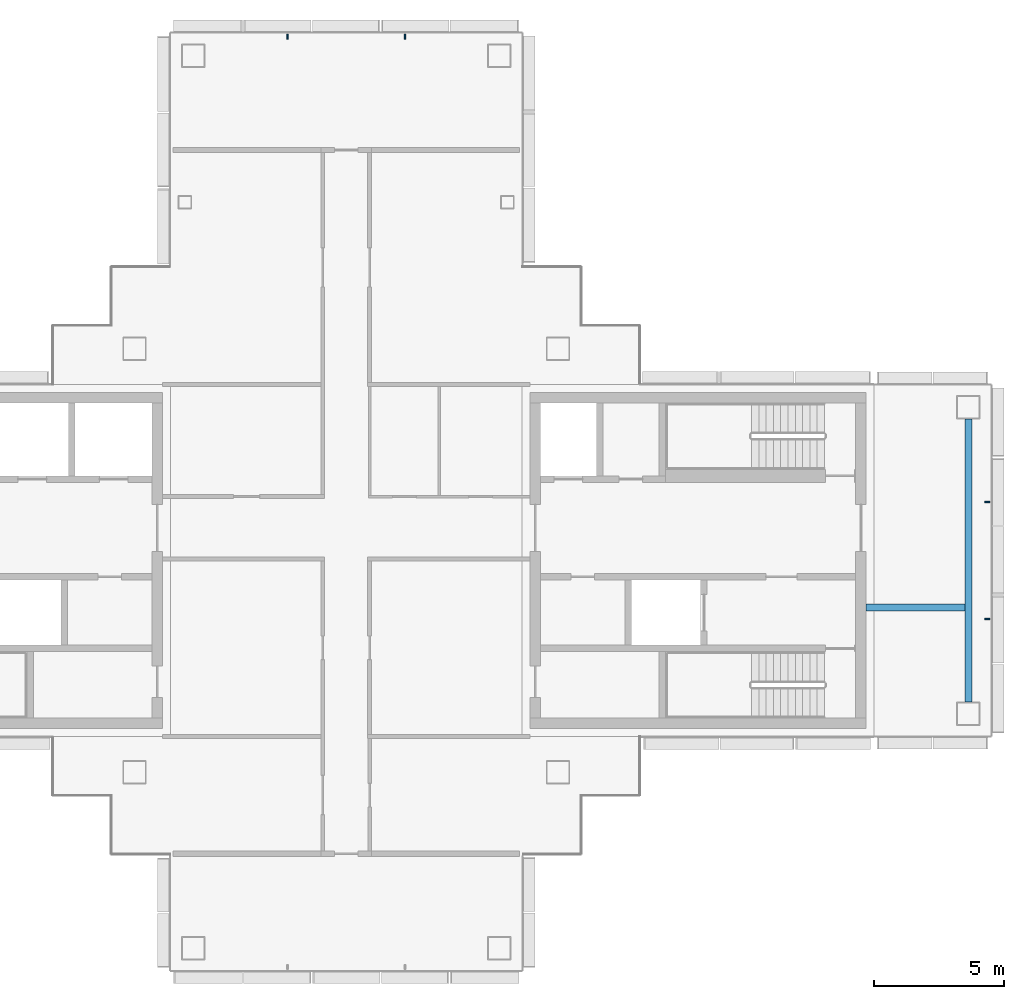
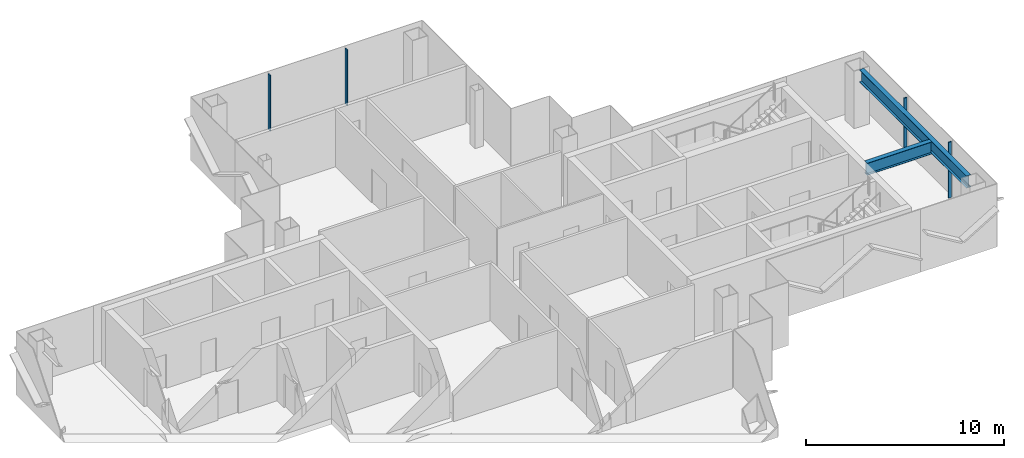
# One storey, part 6 of 17: 4 members, 2 beams, 2 elements without a shape of their own.
"""IFC4 building model written with IfcOpenShell, lengths in metres."""

from ifc_helpers import new_model, si_unit, direction, frame, origin, origin_2d, place, context, subcontext, project, spatial, rectangle, i_section, extrude, material, layer, layer_set, material_profile, profile_set, type_object, element, aggregate, save


model = new_model("IFC4")

# Units and contexts
model_context = context("Model", 3, precision=1e-05, world=origin(), true_north=direction((0.0, 1.0)))
body_context = subcontext(model_context, "Body", "Model", "MODEL_VIEW")
ifc_project = project(units=[si_unit("LENGTHUNIT", "METRE"), si_unit("AREAUNIT", "SQUARE_METRE"), si_unit("VOLUMEUNIT", "CUBIC_METRE"), si_unit("PLANEANGLEUNIT", "RADIAN"), si_unit("MASSUNIT", "GRAM", prefix="KILO")], contexts=[model_context])

# Site, building, storey
site_placement = place(None, origin())
site = spatial("IfcSite", under=ifc_project, at=site_placement, CompositionType="ELEMENT")
building_placement = place(site_placement, origin())
building = spatial("IfcBuilding", under=site, at=building_placement, Name="Shamsa Quay Exchange Towers", CompositionType="ELEMENT")
storey_placement = place(building_placement, frame((0.0, 0.0, 249.89990234375)))
storey = spatial("IfcBuildingStorey", under=building, at=storey_placement, Name="L60", CompositionType="ELEMENT", Elevation=249.89990234375)

# Curtain wall, members
ifc_material_1 = material(Name="Aluminium EN AW-6063 T6, black anodised", Category="aluminium")
ifc_layer = layer(ifc_material_1, 0.280029296875)
ifc_layer_set = layer_set([ifc_layer], Name="CW-1 UNITISED VISION GLASS")
curtain_wall_type = type_object("IfcCurtainWallType", Name="CW-1 UNITISED VISION GLASS", PredefinedType="NOTDEFINED", material=ifc_layer_set)
curtain_wall_1_placement = place(storey_placement, origin())
curtain_wall_1 = element("IfcCurtainWall", 1, at=curtain_wall_1_placement, inside=storey, type_object=curtain_wall_type, Name="CW1 T2-END-V- L60", PredefinedType="NOTDEFINED")
ifc_material_profile_1 = material_profile(ifc_material_1, rectangle(XDim=0.179931640625, YDim=0.06005859375, at=origin_2d()), Name="MU60x180")
ifc_profile_set_1 = profile_set([ifc_material_profile_1], Name="Aluminium EN AW-6063 T6, black anodised")
member_type = type_object("IfcMemberType", Name="CW1 MULLION 60x180", PredefinedType="MULLION", material=ifc_profile_set_1)
member_1_placement = place(storey_placement, frame((58.35009765625, -2.25, 0.0), z_axis=(0.0, 0.0, 1.0), x_axis=(-1.0, 0.0, 0.0)))
member_1 = element("IfcMember", 2, at=member_1_placement, type_object=member_type, Name="CW1 mullion", PredefinedType="MULLION", context=body_context, shape_type="SweptSolid", body=[
    extrude(rectangle(XDim=0.179931640625, YDim=0.06005859375, at=origin_2d()), origin(), (0.0, 0.0, 1.0), 3.4501953125),
])
member_2_placement = place(storey_placement, frame((58.35009765625, 2.25, 0.0), z_axis=(0.0, 0.0, 1.0), x_axis=(-1.0, 0.0, 0.0)))
member_2 = element("IfcMember", 3, at=member_2_placement, type_object=member_type, Name="CW1 mullion", PredefinedType="MULLION", context=body_context, shape_type="SweptSolid", body=[
    extrude(rectangle(XDim=0.179931640625, YDim=0.06005859375, at=origin_2d()), origin(), (0.0, 0.0, 1.0), 3.4501953125),
])
aggregate(curtain_wall_1, [member_1, member_2])

curtain_wall_2_placement = place(storey_placement, origin())
curtain_wall_2 = element("IfcCurtainWall", 4, at=curtain_wall_2_placement, inside=storey, type_object=curtain_wall_type, Name="CW1 T2-END-U+ L60", PredefinedType="NOTDEFINED")
member_3_placement = place(storey_placement, frame((36.0, 20.10009765625, 0.0), z_axis=(0.0, 0.0, 1.0), x_axis=(0.0, -1.0, 0.0)))
member_3 = element("IfcMember", 5, at=member_3_placement, type_object=member_type, Name="CW1 mullion", PredefinedType="MULLION", context=body_context, shape_type="SweptSolid", body=[
    extrude(rectangle(XDim=0.179931640625, YDim=0.06005859375, at=origin_2d()), origin(), (0.0, 0.0, 1.0), 3.4501953125),
])
member_4_placement = place(storey_placement, frame((31.5, 20.10009765625, 0.0), z_axis=(0.0, 0.0, 1.0), x_axis=(0.0, -1.0, 0.0)))
member_4 = element("IfcMember", 6, at=member_4_placement, type_object=member_type, Name="CW1 mullion", PredefinedType="MULLION", context=body_context, shape_type="SweptSolid", body=[
    extrude(rectangle(XDim=0.179931640625, YDim=0.06005859375, at=origin_2d()), origin(), (0.0, 0.0, 1.0), 3.4501953125),
])
aggregate(curtain_wall_2, [member_3, member_4])

# Beams
ifc_material_2 = material(Name="Steel S355", Category="steel")
ifc_material_profile_2 = material_profile(ifc_material_2, i_section(OverallWidth=0.26611328125, OverallDepth=0.7578125, WebThickness=0.013916015625, FlangeThickness=0.019287109375, at=origin_2d()), Name="W30x108")
ifc_profile_set_2 = profile_set([ifc_material_profile_2], Name="Steel S355")
beam_type = type_object("IfcBeamType", Name="End-zone beam W30x108", PredefinedType="BEAM", material=ifc_profile_set_2)
beam_1_placement = place(storey_placement, frame((57.625, -5.425048828125, 3.171142578125), z_axis=(0.0, 1.0, 0.0), x_axis=(-1.0, 0.0, 0.0)))
element("IfcBeam", 7, at=beam_1_placement, inside=storey, type_object=beam_type, Name="End beam T2 V- end zone L60", PredefinedType="BEAM", context=body_context, shape_type="SweptSolid", body=[
    extrude(i_section(OverallWidth=0.26611328125, OverallDepth=0.7578125, WebThickness=0.013916015625, FlangeThickness=0.019287109375, at=origin_2d()), origin(), (0.0, 0.0, 1.0), 10.85009765625),
])
beam_2_placement = place(storey_placement, frame((53.699951171875, -1.800048828125, 3.171142578125), z_axis=(1.0, 0.0, 0.0), x_axis=(0.0, 1.0, 0.0)))
element("IfcBeam", 8, at=beam_2_placement, inside=storey, type_object=beam_type, Name="Spine beam T2 V- end zone L60", PredefinedType="BEAM", context=body_context, shape_type="SweptSolid", body=[
    extrude(i_section(OverallWidth=0.26611328125, OverallDepth=0.7578125, WebThickness=0.013916015625, FlangeThickness=0.019287109375, at=origin_2d()), origin(), (0.0, 0.0, 1.0), 3.7919921875),
])

save(model, "model.ifc")
